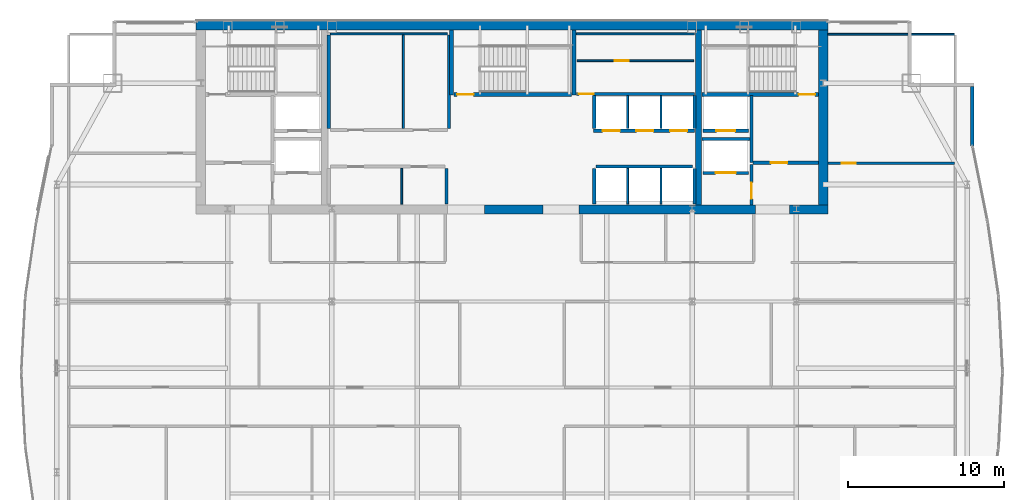
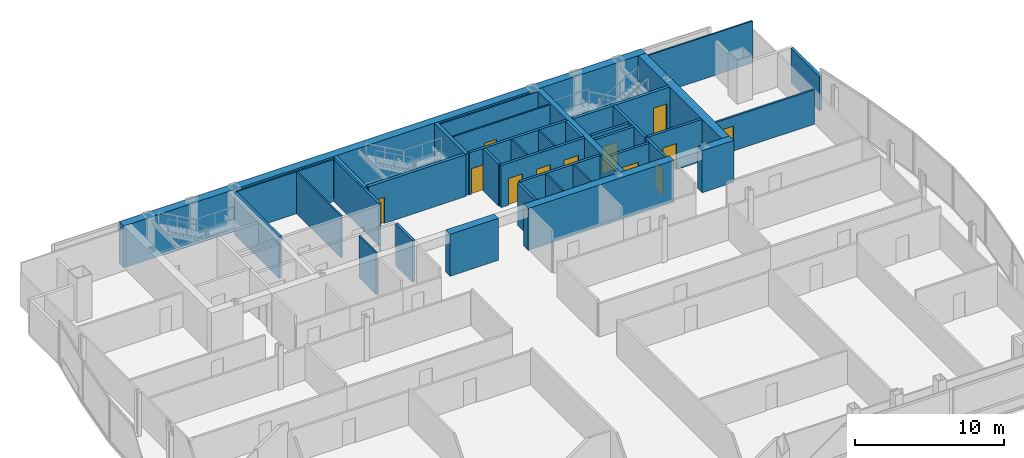
# One storey, part 27 of 30: 38 walls, 12 doors, 12 openings.
"""IFC4 building model written with IfcOpenShell, lengths in metres."""

import ifcopenshell
import ifcopenshell.guid

model = None  # the IFC model being written
_history = None  # IfcOwnerHistory: only IFC2X3 demands one
_inside = {}  # id of a spatial element -> (the spatial element, [elements in it])
_under = {}  # id of a project, library or spatial element -> (it, [spatial elements below it])
_declared = {}  # id of a project -> (the project, [libraries it declares])
_typed = {}  # id of a type object -> (the type object, [elements of that type])
_made_of = {}  # id of a material, layer set ... -> (it, [elements and type objects made of it])


def new_model(schema):
    """Start an empty IFC model of exactly this schema.

    Asked for "IFC4X3", IfcOpenShell would pick the latest addendum, in which some entities
    have other attributes; the version numbers below select the first issue.
    IFC2X3 requires an IfcOwnerHistory on every rooted entity: one is made here for all.
    """
    global model, _history
    if schema == "IFC4X3":
        model = ifcopenshell.file(schema_version=(4, 3, 0, 0))
    else:
        model = ifcopenshell.file(schema=schema)
    _inside.clear()
    _under.clear()
    _declared.clear()
    _typed.clear()
    _made_of.clear()
    _history = None
    if model.schema == "IFC2X3":
        org = make("IfcOrganization", Name="unknown")
        user = make(
            "IfcPersonAndOrganization",
            ThePerson=make("IfcPerson", FamilyName="unknown"),
            TheOrganization=org,
        )
        app = make(
            "IfcApplication",
            ApplicationDeveloper=org,
            Version="unknown",
            ApplicationFullName="unknown",
            ApplicationIdentifier="unknown",
        )
        _history = make(
            "IfcOwnerHistory",
            OwningUser=user,
            OwningApplication=app,
            ChangeAction="ADDED",
            CreationDate=0,
        )
    return model


def make(cls, **values):
    """One entity of the class cls with the attributes given. An attribute that is None is left unset."""
    return model.create_entity(
        cls, **{name: value for name, value in values.items() if value is not None}
    )


def rooted(cls, **values):
    """An entity with a GlobalId (a new one), such as an element, a storey or a relation."""
    return make(cls, GlobalId=ifcopenshell.guid.new(), OwnerHistory=_history, **values)


def si_unit(unit_type, name, prefix=None):
    """IfcSIUnit, for example si_unit("LENGTHUNIT", "METRE", prefix="MILLI")."""
    return make("IfcSIUnit", UnitType=unit_type, Prefix=prefix, Name=name)


def assignment(units):
    """IfcUnitAssignment: the units of a project."""
    return None if units is None else make("IfcUnitAssignment", Units=units)


def point(xyz):
    """IfcCartesianPoint."""
    return None if xyz is None else make("IfcCartesianPoint", Coordinates=xyz)


def direction(xyz):
    """IfcDirection."""
    return None if xyz is None else make("IfcDirection", DirectionRatios=xyz)


def frame(location, z_axis=None, x_axis=None):
    """IfcAxis2Placement3D, a coordinate frame: its origin and axes. An axis left out is left unset."""
    return make(
        "IfcAxis2Placement3D",
        Location=point(location),
        Axis=direction(z_axis),
        RefDirection=direction(x_axis),
    )


def frame_2d(location, x_axis=None):
    """IfcAxis2Placement2D, a coordinate frame in the plane: its origin and x axis."""
    return make(
        "IfcAxis2Placement2D", Location=point(location), RefDirection=direction(x_axis)
    )


def origin():
    """The frame at (0, 0, 0) with its axes left unset."""
    return frame((0.0, 0.0, 0.0))


def place(relative_to, where):
    """IfcLocalPlacement: puts the frame where relative to a parent placement (None: the world)."""
    return make(
        "IfcLocalPlacement", PlacementRelTo=relative_to, RelativePlacement=where
    )


def context(
    kind, dimensions, precision=None, world=None, true_north=None, identifier=None
):
    """IfcGeometricRepresentationContext, for example the 3D "Model" context."""
    return make(
        "IfcGeometricRepresentationContext",
        ContextIdentifier=identifier,
        ContextType=kind,
        CoordinateSpaceDimension=dimensions,
        Precision=precision,
        WorldCoordinateSystem=world,
        TrueNorth=true_north,
    )


def subcontext(parent, identifier, kind, view, scale=None):
    """IfcGeometricRepresentationSubContext, for example "Body" below "Model"."""
    return make(
        "IfcGeometricRepresentationSubContext",
        ContextIdentifier=identifier,
        ContextType=kind,
        ParentContext=parent,
        TargetScale=scale,
        TargetView=view,
    )


def project(units=None, contexts=None):
    """IfcProject with its units and contexts."""
    return rooted(
        "IfcProject",
        Name="project",
        RepresentationContexts=contexts,
        UnitsInContext=assignment(units),
    )


def spatial(cls, under=None, at=None, **own):
    """A site, building, storey or space (cls), placed at a placement, below another one or the project."""
    s = rooted(cls, ObjectPlacement=at, **own)
    if under is not None:
        _under.setdefault(under.id(), (under, []))[1].append(s)
    return s


def profile(cls, at=None, kind="AREA", **sizes):
    """A parametric profile (cls). Its sizes go by their IFC names, for example OverallWidth=200.0."""
    return make(cls, ProfileType=kind, Position=at, **sizes)


def rectangle(**sizes):
    """IfcRectangleProfileDef."""
    return profile("IfcRectangleProfileDef", **sizes)


def extrude(swept, where, along, depth):
    """IfcExtrudedAreaSolid: the profile swept, set in the frame where, extruded along a direction by depth."""
    return make(
        "IfcExtrudedAreaSolid",
        SweptArea=swept,
        Position=where,
        ExtrudedDirection=direction(along),
        Depth=depth,
    )


def shape(context_of_items, identifier, shape_type, items):
    """IfcShapeRepresentation: the items that make up one representation, for example the "Body"."""
    return make(
        "IfcShapeRepresentation",
        ContextOfItems=context_of_items,
        RepresentationIdentifier=identifier,
        RepresentationType=shape_type,
        Items=items,
    )


def material(Name=None, Category=None):
    """IfcMaterial."""
    return make("IfcMaterial", Name=Name, Category=Category)


def layer(
    of_material, thickness, ventilated=None, Name=None, Category=None, Priority=None
):
    """IfcMaterialLayer: one layer of a wall or slab, of a material (None: an air gap)."""
    return make(
        "IfcMaterialLayer",
        Material=of_material,
        LayerThickness=thickness,
        IsVentilated=ventilated,
        Name=Name,
        Category=Category,
        Priority=Priority,
    )


def layer_set(layers, Name=None):
    """IfcMaterialLayerSet."""
    return make("IfcMaterialLayerSet", MaterialLayers=layers, LayerSetName=Name)


def made_of(thing, what):
    """Note that an element or type object is made of a material, layer set ...; save() writes the relation."""
    if what is not None:
        _made_of.setdefault(what.id(), (what, []))[1].append(thing)
    return thing


def type_object(cls, material=None, **own):
    """A type object (cls), such as IfcWallType, which elements share."""
    return made_of(rooted(cls, **own), material)


def element(
    cls,
    number,
    at=None,
    inside=None,
    cuts=None,
    type_object=None,
    material=None,
    context=None,
    identifier="Body",
    shape_type=None,
    held_by="IfcProductDefinitionShape",
    body=None,
    shapes=None,
    **own,
):
    """One element of the class cls, such as IfcWall. Its Tag is "e" and its number.

    at: its placement. inside: the storey or other place that contains it. cuts: it is an
    opening in that element (IfcRelVoidsElement). A single representation is given by context,
    identifier, shape_type and body (its items); several are given by shapes. held_by: the class
    of the entity that holds the representations. save() writes the other relations.
    """
    e = rooted(cls, Tag="e%d" % number, ObjectPlacement=at, **own)
    if body is not None:
        shapes = [shape(context, identifier, shape_type, body)]
    if shapes is not None:
        e.Representation = make(held_by, Representations=shapes)
    if inside is not None:
        _inside.setdefault(inside.id(), (inside, []))[1].append(e)
    if cuts is not None:
        rooted(
            "IfcRelVoidsElement", RelatingBuildingElement=cuts, RelatedOpeningElement=e
        )
    if type_object is not None:
        _typed.setdefault(type_object.id(), (type_object, []))[1].append(e)
    return made_of(e, material)


def fill(opening, filler):
    """IfcRelFillsElement: the door or window that sits in an opening."""
    return rooted(
        "IfcRelFillsElement",
        RelatingOpeningElement=opening,
        RelatedBuildingElement=filler,
    )


def aggregate(whole, parts):
    """IfcRelAggregates: a whole, such as a stair, and the parts it consists of."""
    return rooted("IfcRelAggregates", RelatingObject=whole, RelatedObjects=parts)


def save(model, path):
    """Write the relations noted so far, then the file.

    IfcRelAggregates (storeys below a building ...), IfcRelContainedInSpatialStructure (elements
    in a storey), IfcRelDefinesByType, IfcRelAssociatesMaterial and IfcRelDeclares: one each for
    every whole, place, type object, material and project.
    """
    for whole, parts in _under.values():
        aggregate(whole, parts)
    for where, things in _inside.values():
        rooted(
            "IfcRelContainedInSpatialStructure",
            RelatedElements=things,
            RelatingStructure=where,
        )
    for kind, things in _typed.values():
        rooted("IfcRelDefinesByType", RelatedObjects=things, RelatingType=kind)
    for what, things in _made_of.values():
        rooted("IfcRelAssociatesMaterial", RelatedObjects=things, RelatingMaterial=what)
    for by, libraries in _declared.values():
        rooted("IfcRelDeclares", RelatingContext=by, RelatedDefinitions=libraries)
    model.write(path)


model = new_model("IFC4")

# Units and contexts
model_context = context("Model", 3, precision=1e-05, world=origin(), true_north=direction((0.0, 1.0)))
body_context = subcontext(model_context, "Body", "Model", "MODEL_VIEW")
ifc_project = project(units=[si_unit("LENGTHUNIT", "METRE"), si_unit("AREAUNIT", "SQUARE_METRE"), si_unit("VOLUMEUNIT", "CUBIC_METRE"), si_unit("PLANEANGLEUNIT", "RADIAN"), si_unit("MASSUNIT", "GRAM", prefix="KILO")], contexts=[model_context])

# Site, building, storey
site_placement = place(None, origin())
site = spatial("IfcSite", under=ifc_project, at=site_placement, CompositionType="ELEMENT")
building_placement = place(site_placement, origin())
building = spatial("IfcBuilding", under=site, at=building_placement, Name="Khoronbel Lancet Exchange", CompositionType="ELEMENT")
storey_placement = place(building_placement, frame((0.0, 0.0, 206.60009765625)))
storey = spatial("IfcBuildingStorey", under=building, at=storey_placement, Name="L52", CompositionType="ELEMENT", Elevation=206.60009765625)

# Walls
ifc_material_1 = material(Name="Concrete C60/75", Category="concrete")
ifc_layer_1 = layer(ifc_material_1, 0.60009765625, Name="Concrete C60/75")
ifc_layer_set_1 = layer_set([ifc_layer_1], Name="Concrete C60/75")
wall_type_1 = type_object("IfcWallType", Name="WL-CW3", PredefinedType="SHEAR", material=ifc_layer_set_1)
wall_1_placement = place(storey_placement, frame((16.199951171875, 53.39990234375, 0.0), z_axis=(0.0, 0.0, 1.0), x_axis=(1.0, 0.0, 0.0)))
element("IfcWall", 1, at=wall_1_placement, inside=storey, type_object=wall_type_1, Name="Level L52 rear core north shear wall", PredefinedType="SHEAR", context=body_context, shape_type="SweptSolid", body=[
    extrude(rectangle(XDim=40.5, YDim=0.60009765625, at=frame_2d((20.25, 0.0))), origin(), (0.0, 0.0, 1.0), 3.43994140625),
])
wall_2_placement = place(storey_placement, frame((56.39990234375, 53.10009765625, 0.0), z_axis=(0.0, 0.0, 1.0), x_axis=(0.0, -1.0, 0.0)))
element("IfcWall", 2, at=wall_2_placement, inside=storey, type_object=wall_type_1, Name="Level L52 rear core east shear wall", PredefinedType="SHEAR", context=body_context, shape_type="SweptSolid", body=[
    extrude(rectangle(XDim=11.2001953125, YDim=0.60009765625, at=frame_2d((5.60009765625, 0.0))), origin(), (0.0, 0.0, 1.0), 3.43994140625),
])
wall_3_placement = place(storey_placement, frame((38.449951171875, 41.60009765625, 0.0), z_axis=(0.0, 0.0, 1.0), x_axis=(-1.0, 0.0, 0.0)))
element("IfcWall", 3, at=wall_3_placement, inside=storey, type_object=wall_type_1, Name="Level L52 rear core south shear wall pier P3", PredefinedType="SHEAR", context=body_context, shape_type="SweptSolid", body=[
    extrude(rectangle(XDim=3.75, YDim=0.60009765625, at=frame_2d((1.875, 0.0))), origin(), (0.0, 0.0, 1.0), 3.43994140625),
])
wall_4_placement = place(storey_placement, frame((52.050048828125, 41.60009765625, 0.0), z_axis=(0.0, 0.0, 1.0), x_axis=(-1.0, 0.0, 0.0)))
element("IfcWall", 4, at=wall_4_placement, inside=storey, type_object=wall_type_1, Name="Level L52 rear core south shear wall pier P4", PredefinedType="SHEAR", context=body_context, shape_type="SweptSolid", body=[
    extrude(rectangle(XDim=11.300048828125, YDim=0.60009765625, at=frame_2d((5.64990234375, 0.0))), origin(), (0.0, 0.0, 1.0), 3.43994140625),
])
wall_5_placement = place(storey_placement, frame((56.699951171875, 41.60009765625, 0.0), z_axis=(0.0, 0.0, 1.0), x_axis=(-1.0, 0.0, 0.0)))
element("IfcWall", 5, at=wall_5_placement, inside=storey, type_object=wall_type_1, Name="Level L52 rear core south shear wall pier P5", PredefinedType="SHEAR", context=body_context, shape_type="SweptSolid", body=[
    extrude(rectangle(XDim=2.449951171875, YDim=0.60009765625, at=frame_2d((1.22509765625, 0.0))), origin(), (0.0, 0.0, 1.0), 3.43994140625),
])
ifc_material_2 = material(Name="Precast concrete C40/50", Category="concrete")
ifc_layer_2 = layer(ifc_material_2, 0.25, Name="Precast concrete C40/50")
ifc_layer_set_2 = layer_set([ifc_layer_2], Name="Precast concrete C40/50")
wall_type_2 = type_object("IfcWallType", Name="WL-EXT250", PredefinedType="SOLIDWALL", material=ifc_layer_set_2)
wall_6_placement = place(storey_placement, frame((65.9599609375, 49.5, 0.0), z_axis=(0.0, 0.0, 1.0), x_axis=(0.0, -1.0, 0.0)))
element("IfcWall", 6, at=wall_6_placement, inside=storey, type_object=wall_type_2, Name="Level L52 notched-corner limestone pier 16", PredefinedType="SOLIDWALL", context=body_context, shape_type="SweptSolid", body=[
    extrude(rectangle(XDim=3.828857421875, YDim=0.219970703125, at=frame_2d((1.91455078125, 0.0))), origin(), (0.0, 0.0, 1.0), 2.829833984375),
])

# Wall, opening, door
ifc_material_3 = material(Name="Acoustic Metal-Stud & Mineral-Wool Gypsum Partition 120 mm", Category="gypsum")
ifc_layer_3 = layer(ifc_material_3, 0.1201171875, Name="Acoustic Metal-Stud & Mineral-Wool Gypsum Partition 120 mm")
ifc_layer_set_3 = layer_set([ifc_layer_3], Name="Acoustic Metal-Stud & Mineral-Wool Gypsum Partition 120 mm")
wall_type_3 = type_object("IfcWallType", Name="WL-PRT120", PredefinedType="PARTITIONING", material=ifc_layer_set_3)
wall_7_placement = place(storey_placement, frame((56.699951171875, 44.56005859375, 0.0), z_axis=(0.0, 0.0, 1.0), x_axis=(1.0, 0.0, 0.0)))
wall_7 = element("IfcWall", 7, at=wall_7_placement, inside=storey, type_object=wall_type_3, Name="Level L52 interior partition PW-NE-H", PredefinedType="PARTITIONING", context=body_context, shape_type="SweptSolid", body=[
    extrude(rectangle(XDim=8.10498046875, YDim=0.14990234375, at=frame_2d((4.052490234375, 0.0))), origin(), (0.0, 0.0, 1.0), 2.829833984375),
])
opening_1_placement = place(wall_7_placement, frame((0.89990234375, 0.0, 0.0)))
opening_1 = element("IfcOpeningElement", 8, at=opening_1_placement, cuts=wall_7, Name="Opening D5", PredefinedType="OPENING", context=body_context, shape_type="SweptSolid", body=[
    extrude(rectangle(XDim=0.89990234375, YDim=2.050048828125, at=frame_2d((0.449951171875, 1.02490234375))), frame((0.0, 0.0849609375, 0.0), z_axis=(0.0, -1.0, 0.0), x_axis=(1.0, 0.0, 0.0)), (0.0, 0.0, 1.0), 0.169921875),
])
ifc_material_4 = material(Name="Acoustic Timber Pantry & Support Door", Category="wood")
door_type_1 = type_object("IfcDoorType", Name="DR-D5", OperationType="NOTDEFINED", PredefinedType="DOOR", material=ifc_material_4)
door_1_placement = place(opening_1_placement, origin())
door_1 = element("IfcDoor", 9, at=door_1_placement, inside=storey, type_object=door_type_1, Name="NE north room door L52-1", OperationType="SINGLE_SWING_LEFT", OverallHeight=2.050048828125, OverallWidth=0.89990234375, PredefinedType="DOOR", context=body_context, shape_type="SweptSolid", body=[
    extrude(rectangle(XDim=0.89990234375, YDim=2.050048828125, at=frame_2d((0.449951171875, 1.02490234375))), frame((0.0, 0.02490234375, 0.0), z_axis=(0.0, -1.0, 0.0), x_axis=(1.0, 0.0, 0.0)), (0.0, 0.0, 1.0), 0.050048828125),
])
fill(opening_1, door_1)

# Walls
wall_8_placement = place(storey_placement, frame((56.699951171875, 52.840087890625, 0.0), z_axis=(0.0, 0.0, 1.0), x_axis=(1.0, 0.0, 0.0)))
element("IfcWall", 10, at=wall_8_placement, inside=storey, type_object=wall_type_3, Name="Level L52 interior partition PW-LIN-NE", PredefinedType="PARTITIONING", context=body_context, shape_type="SweptSolid", body=[
    extrude(rectangle(XDim=8.10498046875, YDim=0.1201171875, at=frame_2d((4.052490234375, 0.0))), origin(), (0.0, 0.0, 1.0), 3.43994140625),
])
ifc_material_5 = material(Name="Fire-Rated Metal-Stud & Mineral-Wool Gypsum Partition 120 mm", Category="gypsum")
ifc_layer_4 = layer(ifc_material_5, 0.1201171875, Name="Fire-Rated Metal-Stud & Mineral-Wool Gypsum Partition 120 mm")
ifc_layer_set_4 = layer_set([ifc_layer_4], Name="Fire-Rated Metal-Stud & Mineral-Wool Gypsum Partition 120 mm")
wall_type_4 = type_object("IfcWallType", Name="WL-PRT120F", PredefinedType="PARTITIONING", material=ifc_layer_set_4)
wall_9_placement = place(storey_placement, frame((24.804931640625, 52.860107421875, 0.0), z_axis=(0.0, 0.0, 1.0), x_axis=(1.0, 0.0, 0.0)))
element("IfcWall", 11, at=wall_9_placement, inside=storey, type_object=wall_type_4, Name="Level L52 interior partition CW-PL-RN", PredefinedType="PARTITIONING", context=body_context, shape_type="SweptSolid", body=[
    extrude(rectangle(XDim=7.510009765625, YDim=0.1201171875, at=frame_2d((3.7548828125, 0.0))), origin(), (0.0, 0.0, 1.0), 3.43994140625),
])
wall_10_placement = place(storey_placement, frame((29.486328125, 46.804931640625, 0.0), z_axis=(0.0, 0.0, 1.0), x_axis=(0.0, 1.0, 0.0)))
element("IfcWall", 12, at=wall_10_placement, inside=storey, type_object=wall_type_4, Name="Level L52 interior partition CW-PL-RS2", PredefinedType="PARTITIONING", context=body_context, shape_type="SweptSolid", body=[
    extrude(rectangle(XDim=5.989990234375, YDim=0.1201171875, at=frame_2d((2.9951171875, 0.0))), origin(), (0.0, 0.0, 1.0), 3.43994140625),
])
wall_11_placement = place(storey_placement, frame((29.381103515625, 41.949951171875, 0.0), z_axis=(0.0, 0.0, 1.0), x_axis=(0.0, 1.0, 0.0)))
element("IfcWall", 13, at=wall_11_placement, inside=storey, type_object=wall_type_4, Name="Level L52 interior partition CW-PM-RS2", PredefinedType="PARTITIONING", context=body_context, shape_type="SweptSolid", body=[
    extrude(rectangle(XDim=2.295166015625, YDim=0.1201171875, at=frame_2d((1.1474609375, 0.0))), origin(), (0.0, 0.0, 1.0), 3.43994140625),
])
for number, where, z_axis, x_axis, name in (
    (14, (43.860107421875, 46.800048828125, 0.0), (0.0, 0.0, 1.0), (0.0, 1.0, 0.0), "Level L52 interior partition CW-PH-D1"),
    (15, (46.0, 46.800048828125, 0.0), (0.0, 0.0, 1.0), (0.0, 1.0, 0.0), "Level L52 interior partition CW-PH-D2"),
):
    element("IfcWall", number, at=place(storey_placement, frame(where, z_axis=z_axis, x_axis=x_axis)), inside=storey, type_object=wall_type_4, Name=name, PredefinedType="PARTITIONING", context=body_context, shape_type="SweptSolid", body=[
        extrude(rectangle(XDim=2.094970703125, YDim=0.1201171875, at=frame_2d((1.04736328125, 0.0))), origin(), (0.0, 0.0, 1.0), 3.43994140625),
    ])
for number, where, z_axis, x_axis, name in (
    (16, (43.860107421875, 41.949951171875, 0.0), (0.0, 0.0, 1.0), (0.0, 1.0, 0.0), "Level L52 interior partition CW-PX-D1"),
    (17, (46.0, 41.949951171875, 0.0), (0.0, 0.0, 1.0), (0.0, 1.0, 0.0), "Level L52 interior partition CW-PX-D2"),
):
    element("IfcWall", number, at=place(storey_placement, frame(where, z_axis=z_axis, x_axis=x_axis)), inside=storey, type_object=wall_type_4, Name=name, PredefinedType="PARTITIONING", context=body_context, shape_type="SweptSolid", body=[
        extrude(rectangle(XDim=2.295166015625, YDim=0.1201171875, at=frame_2d((1.1474609375, 0.0))), origin(), (0.0, 0.0, 1.0), 3.43994140625),
    ])
wall_12_placement = place(storey_placement, frame((40.580078125, 52.860107421875, 0.0), z_axis=(0.0, 0.0, 1.0), x_axis=(1.0, 0.0, 0.0)))
element("IfcWall", 18, at=wall_12_placement, inside=storey, type_object=wall_type_4, Name="Level L52 interior partition CW-SUP-NE-N", PredefinedType="PARTITIONING", context=body_context, shape_type="SweptSolid", body=[
    extrude(rectangle(XDim=7.559814453125, YDim=0.1201171875, at=frame_2d((3.77978515625, 0.0))), origin(), (0.0, 0.0, 1.0), 3.43994140625),
])

# Wall, opening, door
wall_13_placement = place(storey_placement, frame((40.6298828125, 51.139892578125, 0.0), z_axis=(0.0, 0.0, 1.0), x_axis=(1.0, 0.0, 0.0)))
wall_13 = element("IfcWall", 19, at=wall_13_placement, inside=storey, type_object=wall_type_4, Name="Level L52 interior partition CW-SUP-NE-H", PredefinedType="PARTITIONING", context=body_context, shape_type="SweptSolid", body=[
    extrude(rectangle(XDim=7.460205078125, YDim=0.1201171875, at=frame_2d((3.72998046875, 0.0))), origin(), (0.0, 0.0, 1.0), 3.43994140625),
])
opening_2_placement = place(wall_13_placement, frame((2.39990234375, 0.0, 0.0)))
opening_2 = element("IfcOpeningElement", 20, at=opening_2_placement, cuts=wall_13, Name="Opening FD4", PredefinedType="OPENING", context=body_context, shape_type="SweptSolid", body=[
    extrude(rectangle(XDim=0.89990234375, YDim=2.050048828125, at=frame_2d((0.449951171875, 1.02490234375))), frame((0.0, 0.070068359375, 0.0), z_axis=(0.0, -1.0, 0.0), x_axis=(1.0, 0.0, 0.0)), (0.0, 0.0, 1.0), 0.14013671875),
])
ifc_material_6 = material(Name="Fire-Rated Steel Core Support Door Assembly", Category="steel")
door_type_2 = type_object("IfcDoorType", Name="DR-FD4", OperationType="NOTDEFINED", PredefinedType="DOOR", material=ifc_material_6)
door_2_placement = place(opening_2_placement, origin())
door_2 = element("IfcDoor", 21, at=door_2_placement, inside=storey, type_object=door_type_2, Name="Core NE north store door L52-1", OperationType="SINGLE_SWING_RIGHT", OverallHeight=2.050048828125, OverallWidth=0.89990234375, PredefinedType="DOOR", context=body_context, shape_type="SweptSolid", body=[
    extrude(rectangle(XDim=0.89990234375, YDim=2.050048828125, at=frame_2d((0.449951171875, 1.02490234375))), frame((0.0, 0.02490234375, 0.0), z_axis=(0.0, -1.0, 0.0), x_axis=(1.0, 0.0, 0.0)), (0.0, 0.0, 1.0), 0.050048828125),
])
fill(opening_2, door_2)

ifc_material_7 = material(Name="Autoclaved Aerated Concrete Blockwork 200 mm", Category="masonry")
ifc_layer_5 = layer(ifc_material_7, 0.199951171875, Name="Autoclaved Aerated Concrete Blockwork 200 mm")
ifc_layer_set_5 = layer_set([ifc_layer_5], Name="Autoclaved Aerated Concrete Blockwork 200 mm")
wall_type_5 = type_object("IfcWallType", Name="WL-PRT200", PredefinedType="PARTITIONING", material=ifc_layer_set_5)
wall_14_placement = place(storey_placement, frame((51.610107421875, 43.949951171875, 0.0), z_axis=(0.0, 0.0, 1.0), x_axis=(-1.0, 0.0, 0.0)))
wall_14 = element("IfcWall", 22, at=wall_14_placement, inside=storey, type_object=wall_type_5, Name="Level L52 elevator hoistway landing front wall SVLE", PredefinedType="PARTITIONING", context=body_context, shape_type="SweptSolid", body=[
    extrude(rectangle(XDim=2.920166015625, YDim=0.199951171875, at=frame_2d((1.4599609375, 0.0))), origin(), (0.0, 0.0, 1.0), 3.43994140625),
])
opening_3_placement = place(wall_14_placement, frame((0.81005859375, 0.0, 0.0)))
opening_3 = element("IfcOpeningElement", 23, at=opening_3_placement, cuts=wall_14, Name="Opening LD-SVL2", PredefinedType="OPENING", context=body_context, shape_type="SweptSolid", body=[
    extrude(rectangle(XDim=1.300048828125, YDim=2.179931640625, at=frame_2d((0.64990234375, 1.08984375))), frame((0.0, 0.10986328125, 0.0), z_axis=(0.0, -1.0, 0.0), x_axis=(1.0, 0.0, 0.0)), (0.0, 0.0, 1.0), 0.219970703125),
])
ifc_material_8 = material(Name="Heavy-Duty Bi-Parting Goods Lift Landing Door", Category="steel")
door_type_3 = type_object("IfcDoorType", Name="DR-LD-SVL", OperationType="NOTDEFINED", PredefinedType="DOOR", material=ifc_material_8)
door_3_placement = place(opening_3_placement, origin())
door_3 = element("IfcDoor", 24, at=door_3_placement, inside=storey, type_object=door_type_3, Name="Elevator landing sliding door LD-SVL2 L52", OperationType="SLIDING_TO_LEFT", OverallHeight=2.179931640625, OverallWidth=1.300048828125, PredefinedType="DOOR", context=body_context, shape_type="SweptSolid", body=[
    extrude(rectangle(XDim=1.300048828125, YDim=2.179931640625, at=frame_2d((0.64990234375, 1.08984375))), frame((0.0, 0.02490234375, 0.0), z_axis=(0.0, -1.0, 0.0), x_axis=(1.0, 0.0, 0.0)), (0.0, 0.0, 1.0), 0.050048828125),
])
fill(opening_3, door_3)

wall_15_placement = place(storey_placement, frame((51.610107421875, 46.64990234375, 0.0), z_axis=(0.0, 0.0, 1.0), x_axis=(-1.0, 0.0, 0.0)))
wall_15 = element("IfcWall", 25, at=wall_15_placement, inside=storey, type_object=wall_type_5, Name="Level L52 elevator hoistway landing front wall FFLE", PredefinedType="PARTITIONING", context=body_context, shape_type="SweptSolid", body=[
    extrude(rectangle(XDim=2.920166015625, YDim=0.199951171875, at=frame_2d((1.4599609375, 0.0))), origin(), (0.0, 0.0, 1.0), 3.43994140625),
])
opening_4_placement = place(wall_15_placement, frame((0.860107421875, 0.0, 0.0)))
opening_4 = element("IfcOpeningElement", 26, at=opening_4_placement, cuts=wall_15, Name="Opening LD-FFL2", PredefinedType="OPENING", context=body_context, shape_type="SweptSolid", body=[
    extrude(rectangle(XDim=1.199951171875, YDim=2.179931640625, at=frame_2d((0.60009765625, 1.08984375))), frame((0.0, 0.10986328125, 0.0), z_axis=(0.0, -1.0, 0.0), x_axis=(1.0, 0.0, 0.0)), (0.0, 0.0, 1.0), 0.219970703125),
])
ifc_material_9 = material(Name="Fire-Rated Stainless Bi-Parting Firefighting Lift Door", Category="steel")
door_type_4 = type_object("IfcDoorType", Name="DR-LD-FFL", OperationType="NOTDEFINED", PredefinedType="DOOR", material=ifc_material_9)
door_4_placement = place(opening_4_placement, origin())
door_4 = element("IfcDoor", 27, at=door_4_placement, inside=storey, type_object=door_type_4, Name="Elevator landing sliding door LD-FFL2 L52", OperationType="SLIDING_TO_LEFT", OverallHeight=2.179931640625, OverallWidth=1.199951171875, PredefinedType="DOOR", context=body_context, shape_type="SweptSolid", body=[
    extrude(rectangle(XDim=1.199951171875, YDim=2.179931640625, at=frame_2d((0.60009765625, 1.08984375))), frame((0.0, 0.02490234375, 0.0), z_axis=(0.0, -1.0, 0.0), x_axis=(1.0, 0.0, 0.0)), (0.0, 0.0, 1.0), 0.050048828125),
])
fill(opening_4, door_4)

# Wall, openings, doors
wall_16_placement = place(storey_placement, frame((48.159912109375, 46.64990234375, 0.0), z_axis=(0.0, 0.0, 1.0), x_axis=(-1.0, 0.0, 0.0)))
wall_16 = element("IfcWall", 28, at=wall_16_placement, inside=storey, type_object=wall_type_5, Name="Level L52 elevator hoistway landing front wall PHE", PredefinedType="PARTITIONING", context=body_context, shape_type="SweptSolid", body=[
    extrude(rectangle(XDim=6.47998046875, YDim=0.199951171875, at=frame_2d((3.239990234375, 0.0))), origin(), (0.0, 0.0, 1.0), 3.43994140625),
])
opening_5_placement = place(wall_16_placement, frame((4.800048828125, 0.0, 0.0)))
opening_5 = element("IfcOpeningElement", 29, at=opening_5_placement, cuts=wall_16, Name="Opening LD-PH1", PredefinedType="OPENING", context=body_context, shape_type="SweptSolid", body=[
    extrude(rectangle(XDim=1.10009765625, YDim=2.179931640625, at=frame_2d((0.550048828125, 1.08984375))), frame((0.0, 0.10986328125, 0.0), z_axis=(0.0, -1.0, 0.0), x_axis=(1.0, 0.0, 0.0)), (0.0, 0.0, 1.0), 0.219970703125),
])
opening_6_placement = place(wall_16_placement, frame((2.639892578125, 0.0, 0.0)))
opening_6 = element("IfcOpeningElement", 30, at=opening_6_placement, cuts=wall_16, Name="Opening LD-PH2", PredefinedType="OPENING", context=body_context, shape_type="SweptSolid", body=[
    extrude(rectangle(XDim=1.10009765625, YDim=2.179931640625, at=frame_2d((0.550048828125, 1.08984375))), frame((0.0, 0.10986328125, 0.0), z_axis=(0.0, -1.0, 0.0), x_axis=(1.0, 0.0, 0.0)), (0.0, 0.0, 1.0), 0.219970703125),
])
opening_7_placement = place(wall_16_placement, frame((0.47998046875, 0.0, 0.0)))
opening_7 = element("IfcOpeningElement", 31, at=opening_7_placement, cuts=wall_16, Name="Opening LD-PH3", PredefinedType="OPENING", context=body_context, shape_type="SweptSolid", body=[
    extrude(rectangle(XDim=1.10009765625, YDim=2.179931640625, at=frame_2d((0.550048828125, 1.08984375))), frame((0.0, 0.10986328125, 0.0), z_axis=(0.0, -1.0, 0.0), x_axis=(1.0, 0.0, 0.0)), (0.0, 0.0, 1.0), 0.219970703125),
])
ifc_material_10 = material(Name="Brushed Bronze Bi-Parting Elevator Landing Door", Category="steel")
door_type_5 = type_object("IfcDoorType", Name="DR-LD-PAX", OperationType="NOTDEFINED", PredefinedType="DOOR", material=ifc_material_10)
door_5_placement = place(opening_5_placement, origin())
door_5 = element("IfcDoor", 32, at=door_5_placement, inside=storey, type_object=door_type_5, Name="Elevator landing sliding door LD-PH1 L52", OperationType="SLIDING_TO_LEFT", OverallHeight=2.179931640625, OverallWidth=1.10009765625, PredefinedType="DOOR", context=body_context, shape_type="SweptSolid", body=[
    extrude(rectangle(XDim=1.10009765625, YDim=2.179931640625, at=frame_2d((0.550048828125, 1.08984375))), frame((0.0, 0.02490234375, 0.0), z_axis=(0.0, -1.0, 0.0), x_axis=(1.0, 0.0, 0.0)), (0.0, 0.0, 1.0), 0.050048828125),
])
fill(opening_5, door_5)
door_6_placement = place(opening_6_placement, origin())
door_6 = element("IfcDoor", 33, at=door_6_placement, inside=storey, type_object=door_type_5, Name="Elevator landing sliding door LD-PH2 L52", OperationType="SLIDING_TO_LEFT", OverallHeight=2.179931640625, OverallWidth=1.10009765625, PredefinedType="DOOR", context=body_context, shape_type="SweptSolid", body=[
    extrude(rectangle(XDim=1.10009765625, YDim=2.179931640625, at=frame_2d((0.550048828125, 1.08984375))), frame((0.0, 0.02490234375, 0.0), z_axis=(0.0, -1.0, 0.0), x_axis=(1.0, 0.0, 0.0)), (0.0, 0.0, 1.0), 0.050048828125),
])
fill(opening_6, door_6)
door_7_placement = place(opening_7_placement, origin())
door_7 = element("IfcDoor", 34, at=door_7_placement, inside=storey, type_object=door_type_5, Name="Elevator landing sliding door LD-PH3 L52", OperationType="SLIDING_TO_LEFT", OverallHeight=2.179931640625, OverallWidth=1.10009765625, PredefinedType="DOOR", context=body_context, shape_type="SweptSolid", body=[
    extrude(rectangle(XDim=1.10009765625, YDim=2.179931640625, at=frame_2d((0.550048828125, 1.08984375))), frame((0.0, 0.02490234375, 0.0), z_axis=(0.0, -1.0, 0.0), x_axis=(1.0, 0.0, 0.0)), (0.0, 0.0, 1.0), 0.050048828125),
])
fill(opening_7, door_7)

# Wall
wall_17_placement = place(storey_placement, frame((51.800048828125, 44.60009765625, 0.0), z_axis=(0.0, 0.0, 1.0), x_axis=(0.0, 1.0, 0.0)))
element("IfcWall", 35, at=wall_17_placement, inside=storey, type_object=wall_type_5, Name="Level L52 interior partition CW-FFLE-W", PredefinedType="PARTITIONING", context=body_context, shape_type="SweptSolid", body=[
    extrude(rectangle(XDim=4.2998046875, YDim=0.199951171875, at=frame_2d((2.14990234375, 0.0))), origin(), (0.0, 0.0, 1.0), 3.43994140625),
])

# Wall, opening, door
wall_18_placement = place(storey_placement, frame((51.89990234375, 44.60009765625, 0.0), z_axis=(0.0, 0.0, 1.0), x_axis=(1.0, 0.0, 0.0)))
wall_18 = element("IfcWall", 36, at=wall_18_placement, inside=storey, type_object=wall_type_5, Name="Level L52 interior partition CW-FFLE-S", PredefinedType="PARTITIONING", context=body_context, shape_type="SweptSolid", body=[
    extrude(rectangle(XDim=4.2001953125, YDim=0.199951171875, at=frame_2d((2.10009765625, 0.0))), origin(), (0.0, 0.0, 1.0), 3.43994140625),
])
opening_8_placement = place(wall_18_placement, frame((1.14990234375, 0.0, 0.0)))
opening_8 = element("IfcOpeningElement", 37, at=opening_8_placement, cuts=wall_18, Name="Opening FD1", PredefinedType="OPENING", context=body_context, shape_type="SweptSolid", body=[
    extrude(rectangle(XDim=1.050048828125, YDim=2.14990234375, at=frame_2d((0.52490234375, 1.074951171875))), frame((0.0, 0.10986328125, 0.0), z_axis=(0.0, -1.0, 0.0), x_axis=(1.0, 0.0, 0.0)), (0.0, 0.0, 1.0), 0.219970703125),
])
ifc_material_11 = material(Name="Fire-Rated Painted Steel Door Assembly", Category="steel")
door_type_6 = type_object("IfcDoorType", Name="DR-FD1", OperationType="NOTDEFINED", PredefinedType="DOOR", material=ifc_material_11)
door_8_placement = place(opening_8_placement, origin())
door_8 = element("IfcDoor", 38, at=door_8_placement, inside=storey, type_object=door_type_6, Name="East firefighting lobby FD90S door L52-1", OperationType="SINGLE_SWING_LEFT", OverallHeight=2.14990234375, OverallWidth=1.050048828125, PredefinedType="DOOR", context=body_context, shape_type="SweptSolid", body=[
    extrude(rectangle(XDim=1.050048828125, YDim=2.14990234375, at=frame_2d((0.52490234375, 1.074951171875))), frame((0.0, 0.02490234375, 0.0), z_axis=(0.0, -1.0, 0.0), x_axis=(1.0, 0.0, 0.0)), (0.0, 0.0, 1.0), 0.050048828125),
])
fill(opening_8, door_8)

# Wall
wall_19_placement = place(storey_placement, frame((48.6298828125, 46.1201171875, 0.0), z_axis=(0.0, 0.0, 1.0), x_axis=(1.0, 0.0, 0.0)))
element("IfcWall", 39, at=wall_19_placement, inside=storey, type_object=wall_type_5, Name="Level L52 interior partition CW-FFL2-S", PredefinedType="PARTITIONING", context=body_context, shape_type="SweptSolid", body=[
    extrude(rectangle(XDim=3.070068359375, YDim=0.199951171875, at=frame_2d((1.53515625, 0.0))), origin(), (0.0, 0.0, 1.0), 3.43994140625),
])

# Wall, opening, door
wall_20_placement = place(storey_placement, frame((51.800048828125, 41.89990234375, 0.0), z_axis=(0.0, 0.0, 1.0), x_axis=(0.0, 1.0, 0.0)))
wall_20 = element("IfcWall", 40, at=wall_20_placement, inside=storey, type_object=wall_type_5, Name="Level L52 interior partition CW-SVLE-E", PredefinedType="PARTITIONING", context=body_context, shape_type="SweptSolid", body=[
    extrude(rectangle(XDim=2.59521484375, YDim=0.199951171875, at=frame_2d((1.297607421875, 0.0))), origin(), (0.0, 0.0, 1.0), 3.43994140625),
])
opening_9_placement = place(wall_20_placement, frame((0.3798828125, 0.0, 0.0)))
opening_9 = element("IfcOpeningElement", 41, at=opening_9_placement, cuts=wall_20, Name="Opening FD1", PredefinedType="OPENING", context=body_context, shape_type="SweptSolid", body=[
    extrude(rectangle(XDim=1.050048828125, YDim=2.14990234375, at=frame_2d((0.52490234375, 1.074951171875))), frame((0.0, 0.10986328125, 0.0), z_axis=(0.0, -1.0, 0.0), x_axis=(1.0, 0.0, 0.0)), (0.0, 0.0, 1.0), 0.219970703125),
])
door_9_placement = place(opening_9_placement, origin())
door_9 = element("IfcDoor", 42, at=door_9_placement, inside=storey, type_object=door_type_6, Name="East service lift lobby door L52-1", OperationType="SINGLE_SWING_RIGHT", OverallHeight=2.14990234375, OverallWidth=1.050048828125, PredefinedType="DOOR", context=body_context, shape_type="SweptSolid", body=[
    extrude(rectangle(XDim=1.050048828125, YDim=2.14990234375, at=frame_2d((0.52490234375, 1.074951171875))), frame((0.0, 0.02490234375, 0.0), z_axis=(0.0, -1.0, 0.0), x_axis=(1.0, 0.0, 0.0)), (0.0, 0.0, 1.0), 0.050048828125),
])
fill(opening_9, door_9)

# Walls
for number, where, z_axis, x_axis, name in (
    (43, (24.699951171875, 46.804931640625, 0.0), (0.0, 0.0, 1.0), (0.0, 1.0, 0.0), "Level L52 interior partition CW-PL-RW"),
    (44, (32.419921875, 46.804931640625, 0.0), (0.0, 0.0, 1.0), (0.0, 1.0, 0.0), "Level L52 interior partition CW-PL-RE"),
):
    element("IfcWall", number, at=place(storey_placement, frame(where, z_axis=z_axis, x_axis=x_axis)), inside=storey, type_object=wall_type_5, Name=name, PredefinedType="PARTITIONING", context=body_context, shape_type="SweptSolid", body=[
        extrude(rectangle(XDim=5.989990234375, YDim=0.199951171875, at=frame_2d((2.9951171875, 0.0))), origin(), (0.0, 0.0, 1.0), 3.43994140625),
    ])
wall_21_placement = place(storey_placement, frame((32.25, 41.949951171875, 0.0), z_axis=(0.0, 0.0, 1.0), x_axis=(0.0, 1.0, 0.0)))
element("IfcWall", 45, at=wall_21_placement, inside=storey, type_object=wall_type_5, Name="Level L52 interior partition CW-PM-RE", PredefinedType="PARTITIONING", context=body_context, shape_type="SweptSolid", body=[
    extrude(rectangle(XDim=2.295166015625, YDim=0.199951171875, at=frame_2d((1.1474609375, 0.0))), origin(), (0.0, 0.0, 1.0), 3.43994140625),
])
for number, where, z_axis, x_axis, name in (
    (46, (41.719970703125, 46.800048828125, 0.0), (0.0, 0.0, 1.0), (0.0, 1.0, 0.0), "Level L52 interior partition CW-PH-W"),
    (47, (48.139892578125, 46.800048828125, 0.0), (0.0, 0.0, 1.0), (0.0, 1.0, 0.0), "Level L52 interior partition CW-PH-E"),
):
    element("IfcWall", number, at=place(storey_placement, frame(where, z_axis=z_axis, x_axis=x_axis)), inside=storey, type_object=wall_type_5, Name=name, PredefinedType="PARTITIONING", context=body_context, shape_type="SweptSolid", body=[
        extrude(rectangle(XDim=2.094970703125, YDim=0.199951171875, at=frame_2d((1.04736328125, 0.0))), origin(), (0.0, 0.0, 1.0), 3.43994140625),
    ])
wall_22_placement = place(storey_placement, frame((41.824951171875, 44.35009765625, 0.0), z_axis=(0.0, 0.0, 1.0), x_axis=(1.0, 0.0, 0.0)))
element("IfcWall", 48, at=wall_22_placement, inside=storey, type_object=wall_type_5, Name="Level L52 interior partition CW-PX-EXP", PredefinedType="PARTITIONING", context=body_context, shape_type="SweptSolid", body=[
    extrude(rectangle(XDim=6.2099609375, YDim=0.199951171875, at=frame_2d((3.10498046875, 0.0))), origin(), (0.0, 0.0, 1.0), 3.43994140625),
])
for number, where, z_axis, x_axis, name in (
    (49, (41.719970703125, 41.949951171875, 0.0), (0.0, 0.0, 1.0), (0.0, 1.0, 0.0), "Level L52 interior partition CW-PX-W"),
    (50, (48.139892578125, 41.949951171875, 0.0), (0.0, 0.0, 1.0), (0.0, 1.0, 0.0), "Level L52 interior partition CW-PX-E"),
):
    element("IfcWall", number, at=place(storey_placement, frame(where, z_axis=z_axis, x_axis=x_axis)), inside=storey, type_object=wall_type_5, Name=name, PredefinedType="PARTITIONING", context=body_context, shape_type="SweptSolid", body=[
        extrude(rectangle(XDim=2.295166015625, YDim=0.199951171875, at=frame_2d((1.1474609375, 0.0))), origin(), (0.0, 0.0, 1.0), 3.43994140625),
    ])

# Wall, opening, door
wall_23_placement = place(storey_placement, frame((40.580078125, 49.0, 0.0), z_axis=(0.0, 0.0, 1.0), x_axis=(1.0, 0.0, 0.0)))
wall_23 = element("IfcWall", 51, at=wall_23_placement, inside=storey, type_object=wall_type_5, Name="Level L52 interior partition CW-SUP-NE-S", PredefinedType="PARTITIONING", context=body_context, shape_type="SweptSolid", body=[
    extrude(rectangle(XDim=7.559814453125, YDim=0.199951171875, at=frame_2d((3.77978515625, 0.0))), origin(), (0.0, 0.0, 1.0), 3.43994140625),
])
opening_10_placement = place(wall_23_placement, frame((0.159912109375, 0.0, 0.0)))
opening_10 = element("IfcOpeningElement", 52, at=opening_10_placement, cuts=wall_23, Name="Opening FD3", PredefinedType="OPENING", context=body_context, shape_type="SweptSolid", body=[
    extrude(rectangle(XDim=0.949951171875, YDim=2.10009765625, at=frame_2d((0.47509765625, 1.050048828125))), frame((0.0, 0.10986328125, 0.0), z_axis=(0.0, -1.0, 0.0), x_axis=(1.0, 0.0, 0.0)), (0.0, 0.0, 1.0), 0.219970703125),
])
ifc_material_12 = material(Name="Fire-Rated Steel Plant & Riser Door Assembly", Category="steel")
door_type_7 = type_object("IfcDoorType", Name="DR-FD3", OperationType="NOTDEFINED", PredefinedType="DOOR", material=ifc_material_12)
door_10_placement = place(opening_10_placement, origin())
door_10 = element("IfcDoor", 53, at=door_10_placement, inside=storey, type_object=door_type_7, Name="Core NE support room door L52-1", OperationType="SINGLE_SWING_LEFT", OverallHeight=2.10009765625, OverallWidth=0.949951171875, PredefinedType="DOOR", context=body_context, shape_type="SweptSolid", body=[
    extrude(rectangle(XDim=0.949951171875, YDim=2.10009765625, at=frame_2d((0.47509765625, 1.050048828125))), frame((0.0, 0.02490234375, 0.0), z_axis=(0.0, -1.0, 0.0), x_axis=(1.0, 0.0, 0.0)), (0.0, 0.0, 1.0), 0.050048828125),
])
fill(opening_10, door_10)

# Walls
ifc_layer_6 = layer(ifc_material_1, 0.39990234375, Name="Concrete C60/75")
ifc_layer_set_6 = layer_set([ifc_layer_6], Name="Concrete C60/75")
wall_type_6 = type_object("IfcWallType", Name="WL-SW2", PredefinedType="SHEAR", material=ifc_layer_set_6)
wall_24_placement = place(storey_placement, frame((48.39990234375, 41.89990234375, 0.0), z_axis=(0.0, 0.0, 1.0), x_axis=(0.0, 1.0, 0.0)))
element("IfcWall", 54, at=wall_24_placement, inside=storey, type_object=wall_type_6, Name="Level L52 rear core internal spine shear wall IE", PredefinedType="SHEAR", context=body_context, shape_type="SweptSolid", body=[
    extrude(rectangle(XDim=11.2001953125, YDim=0.39990234375, at=frame_2d((5.60009765625, 0.0))), origin(), (0.0, 0.0, 1.0), 3.43994140625),
])
ifc_layer_7 = layer(ifc_material_1, 0.260009765625, Name="Concrete C60/75")
ifc_layer_set_7 = layer_set([ifc_layer_7], Name="Concrete C60/75")
wall_type_7 = type_object("IfcWallType", Name="WL-SW3", PredefinedType="SHEAR", material=ifc_layer_set_7)
for number, where, z_axis, x_axis, name in (
    (55, (32.580078125, 48.949951171875, 0.0), (0.0, 0.0, 1.0), (0.0, 1.0, 0.0), "Level L52 central stairwell structural shear wall ST3W"),
    (56, (40.419921875, 48.949951171875, 0.0), (0.0, 0.0, 1.0), (0.0, 1.0, 0.0), "Level L52 central stairwell structural shear wall ST3E"),
):
    element("IfcWall", number, at=place(storey_placement, frame(where, z_axis=z_axis, x_axis=x_axis)), inside=storey, type_object=wall_type_7, Name=name, PredefinedType="SHEAR", context=body_context, shape_type="SweptSolid", body=[
        extrude(rectangle(XDim=4.150146484375, YDim=0.260009765625, at=frame_2d((2.0751953125, 0.0))), origin(), (0.0, 0.0, 1.0), 3.43994140625),
    ])

# Wall, opening, door
wall_25_placement = place(storey_placement, frame((48.6298828125, 48.97998046875, 0.0), z_axis=(0.0, 0.0, 1.0), x_axis=(1.0, 0.0, 0.0)))
wall_25 = element("IfcWall", 57, at=wall_25_placement, inside=storey, type_object=wall_type_7, Name="Level L52 east stairwell structural south wall", PredefinedType="SHEAR", context=body_context, shape_type="SweptSolid", body=[
    extrude(rectangle(XDim=7.47021484375, YDim=0.239990234375, at=frame_2d((3.735107421875, 0.0))), origin(), (0.0, 0.0, 1.0), 3.43994140625),
])
opening_11_placement = place(wall_25_placement, frame((6.199951171875, 0.0, 0.0)))
opening_11 = element("IfcOpeningElement", 58, at=opening_11_placement, cuts=wall_25, Name="Opening SD1", PredefinedType="OPENING", context=body_context, shape_type="SweptSolid", body=[
    extrude(rectangle(XDim=1.050048828125, YDim=2.14990234375, at=frame_2d((0.52490234375, 1.074951171875))), frame((0.0, 0.1298828125, 0.0), z_axis=(0.0, -1.0, 0.0), x_axis=(1.0, 0.0, 0.0)), (0.0, 0.0, 1.0), 0.260009765625),
])
ifc_material_13 = material(Name="Fire-Rated Steel Stairwell Door Assembly", Category="steel")
door_type_8 = type_object("IfcDoorType", Name="DR-SD1", OperationType="NOTDEFINED", PredefinedType="DOOR", material=ifc_material_13)
door_11_placement = place(opening_11_placement, origin())
door_11 = element("IfcDoor", 59, at=door_11_placement, inside=storey, type_object=door_type_8, Name="Protected exit stair ST2 door L52", OperationType="SINGLE_SWING_RIGHT", OverallHeight=2.14990234375, OverallWidth=1.050048828125, PredefinedType="DOOR", context=body_context, shape_type="SweptSolid", body=[
    extrude(rectangle(XDim=1.050048828125, YDim=2.14990234375, at=frame_2d((0.52490234375, 1.074951171875))), frame((0.0, 0.02490234375, 0.0), z_axis=(0.0, -1.0, 0.0), x_axis=(1.0, 0.0, 0.0)), (0.0, 0.0, 1.0), 0.050048828125),
])
fill(opening_11, door_11)

wall_26_placement = place(storey_placement, frame((32.719970703125, 48.97998046875, 0.0), z_axis=(0.0, 0.0, 1.0), x_axis=(1.0, 0.0, 0.0)))
wall_26 = element("IfcWall", 60, at=wall_26_placement, inside=storey, type_object=wall_type_7, Name="Level L52 central stairwell structural south wall", PredefinedType="SHEAR", context=body_context, shape_type="SweptSolid", body=[
    extrude(rectangle(XDim=7.56005859375, YDim=0.239990234375, at=frame_2d((3.780029296875, 0.0))), origin(), (0.0, 0.0, 1.0), 3.43994140625),
])
opening_12_placement = place(wall_26_placement, frame((0.219970703125, 0.0, 0.0)))
opening_12 = element("IfcOpeningElement", 61, at=opening_12_placement, cuts=wall_26, Name="Opening SD1", PredefinedType="OPENING", context=body_context, shape_type="SweptSolid", body=[
    extrude(rectangle(XDim=1.050048828125, YDim=2.14990234375, at=frame_2d((0.52490234375, 1.074951171875))), frame((0.0, 0.1298828125, 0.0), z_axis=(0.0, -1.0, 0.0), x_axis=(1.0, 0.0, 0.0)), (0.0, 0.0, 1.0), 0.260009765625),
])
door_12_placement = place(opening_12_placement, origin())
door_12 = element("IfcDoor", 62, at=door_12_placement, inside=storey, type_object=door_type_8, Name="Protected exit stair ST3 door L52", OperationType="SINGLE_SWING_LEFT", OverallHeight=2.14990234375, OverallWidth=1.050048828125, PredefinedType="DOOR", context=body_context, shape_type="SweptSolid", body=[
    extrude(rectangle(XDim=1.050048828125, YDim=2.14990234375, at=frame_2d((0.52490234375, 1.074951171875))), frame((0.0, 0.02490234375, 0.0), z_axis=(0.0, -1.0, 0.0), x_axis=(1.0, 0.0, 0.0)), (0.0, 0.0, 1.0), 0.050048828125),
])
fill(opening_12, door_12)

save(model, "model.ifc")
